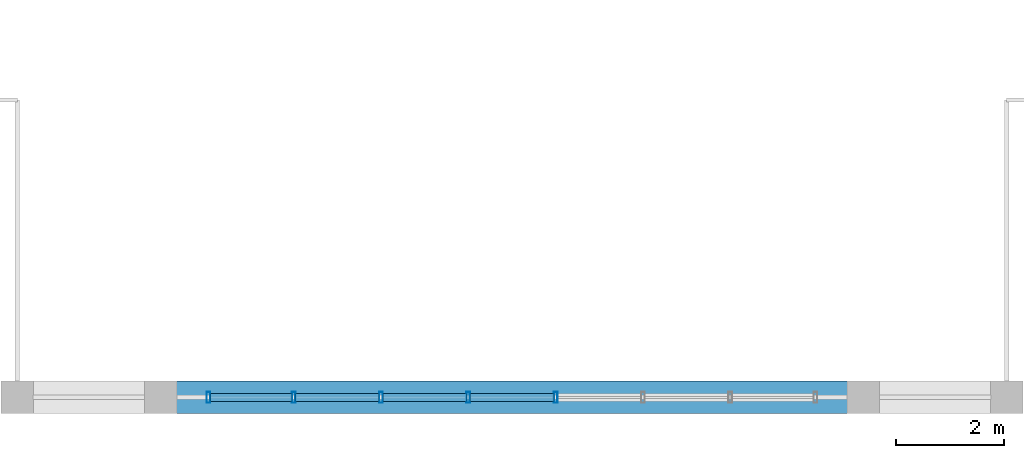
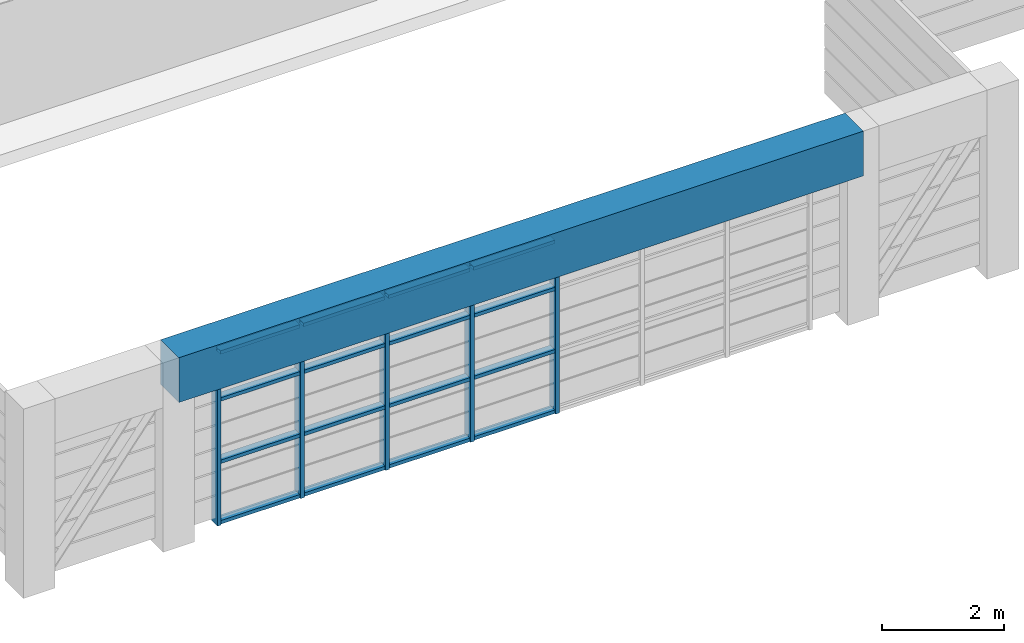
# One storey, part 2 of 21: 21 members, 1 beam, 1 element without a shape of its own.
"""IFC4 building model written with IfcOpenShell, lengths in metres."""

from ifc_helpers import new_model, si_unit, direction, frame, origin, origin_2d, place, context, subcontext, project, spatial, rectangle, hollow_rectangle, extrude, source, transform, mapped, material, layer, layer_set, material_profile, profile_set, type_object, element, aggregate, save


model = new_model("IFC4")

# Units and contexts
model_context = context("Model", 3, precision=1e-05, world=origin(), true_north=direction((0.0, 1.0)))
body_context = subcontext(model_context, "Body", "Model", "MODEL_VIEW")
ifc_project = project(units=[si_unit("LENGTHUNIT", "METRE"), si_unit("AREAUNIT", "SQUARE_METRE"), si_unit("VOLUMEUNIT", "CUBIC_METRE"), si_unit("PLANEANGLEUNIT", "RADIAN"), si_unit("MASSUNIT", "GRAM", prefix="KILO")], contexts=[model_context])

# Site, building, storey
site_placement = place(None, origin())
site = spatial("IfcSite", under=ifc_project, at=site_placement, CompositionType="ELEMENT")
building_placement = place(site_placement, origin())
building = spatial("IfcBuilding", under=site, at=building_placement, Name="Saelheon Loggia Tower", CompositionType="ELEMENT")
storey_placement = place(building_placement, frame((0.0, 0.0, 259.800048828125)))
storey = spatial("IfcBuildingStorey", under=building, at=storey_placement, Name="CR3", CompositionType="ELEMENT", Elevation=259.800048828125)

# Beam
ifc_material_1 = material(Name="Precast Concrete C45/55", Category="concrete")
ifc_material_profile_1 = material_profile(ifc_material_1, rectangle(XDim=0.60009765625, YDim=0.89990234375, at=origin_2d()), Name="RC-600x900")
ifc_profile_set_1 = profile_set([ifc_material_profile_1], Name="Precast Concrete C45/55")
beam_type = type_object("IfcBeamType", Name="CrownFrame_Ring_RC600x900", PredefinedType="BEAM", material=ifc_profile_set_1)
shared_shape_1 = source(origin(), body_context, "Body", "SweptSolid", [
    extrude(rectangle(XDim=0.60009765625, YDim=0.89990234375, at=origin_2d()), origin(), (0.0, 0.0, 1.0), 13.0),
])
beam_placement = place(storey_placement, frame((31.5, 6.35009765625, 3.349853515625), z_axis=(1.0, 0.0, 0.0), x_axis=(0.0, 1.0, 0.0)))
element("IfcBeam", 1, at=beam_placement, inside=storey, type_object=beam_type, Name="CR3 CROWN FRAME Sill Beam 02", PredefinedType="BEAM", context=body_context, shape_type="MappedRepresentation", body=[
    mapped(shared_shape_1, transform((0.0, 0.0, 0.0), scale=1.0)),
])

# Curtain wall, members
ifc_material_2 = material(Name="Bronze-Anodised Aluminium and Fritted Ceramic Screen", Category="aluminium")
ifc_layer = layer(ifc_material_2, 0.219970703125)
ifc_layer_set = layer_set([ifc_layer], Name="Bronze-Anodised Aluminium and Fritted Ceramic Screen")
curtain_wall_type = type_object("IfcCurtainWallType", Name="CW_CrownScreen", PredefinedType="NOTDEFINED", material=ifc_layer_set)
curtain_wall_placement = place(storey_placement, origin())
curtain_wall = element("IfcCurtainWall", 2, at=curtain_wall_placement, inside=storey, type_object=curtain_wall_type, Name="CR3 Crown Central Screen Curtain Wall 0", PredefinedType="NOTDEFINED")
ifc_material_3 = material(Name="Bronze-Anodised Aluminium 6063-T6", Category="aluminium")
ifc_material_profile_2 = material_profile(ifc_material_3, hollow_rectangle(XDim=0.070068359375, YDim=0.199951171875, WallThickness=0.0048828125, at=origin_2d()), Name="RHS-200x70x5")
ifc_profile_set_2 = profile_set([ifc_material_profile_2], Name="Bronze-Anodised Aluminium 6063-T6")
member_type_1 = type_object("IfcMemberType", Name="CW_CrownScreen_Mullion", PredefinedType="MULLION", material=ifc_profile_set_2)
shared_shape_2 = source(origin(), body_context, "Body", "SweptSolid", [
    extrude(hollow_rectangle(XDim=0.070068359375, YDim=0.199951171875, WallThickness=0.0048828125, at=origin_2d()), origin(), (0.0, 0.0, 1.0), 3.47998046875),
])
member_1_placement = place(storey_placement, frame((32.385009765625, 6.35009765625, 0.0), z_axis=(0.0, 0.0, 1.0), x_axis=(1.0, 0.0, 0.0)))
member_1 = element("IfcMember", 3, at=member_1_placement, type_object=member_type_1, Name="CW6 mullion 1", PredefinedType="MULLION", context=body_context, shape_type="MappedRepresentation", body=[
    mapped(shared_shape_2, transform((0.0, 0.0, 0.0), scale=1.0)),
])
member_2_placement = place(storey_placement, frame((33.96435546875, 6.35009765625, 0.0), z_axis=(0.0, 0.0, 1.0), x_axis=(1.0, 0.0, 0.0)))
member_2 = element("IfcMember", 4, at=member_2_placement, type_object=member_type_1, Name="CW6 mullion 2", PredefinedType="MULLION", context=body_context, shape_type="MappedRepresentation", body=[
    mapped(shared_shape_2, transform((0.0, 0.0, 0.0), scale=1.0)),
])
member_3_placement = place(storey_placement, frame((35.57861328125, 6.35009765625, 0.0), z_axis=(0.0, 0.0, 1.0), x_axis=(1.0, 0.0, 0.0)))
member_3 = element("IfcMember", 5, at=member_3_placement, type_object=member_type_1, Name="CW6 mullion 3", PredefinedType="MULLION", context=body_context, shape_type="MappedRepresentation", body=[
    mapped(shared_shape_2, transform((0.0, 0.0, 0.0), scale=1.0)),
])
member_4_placement = place(storey_placement, frame((37.19287109375, 6.35009765625, 0.0), z_axis=(0.0, 0.0, 1.0), x_axis=(1.0, 0.0, 0.0)))
member_4 = element("IfcMember", 6, at=member_4_placement, type_object=member_type_1, Name="CW6 mullion 4", PredefinedType="MULLION", context=body_context, shape_type="MappedRepresentation", body=[
    mapped(shared_shape_2, transform((0.0, 0.0, 0.0), scale=1.0)),
])
member_5_placement = place(storey_placement, frame((38.80712890625, 6.35009765625, 0.0), z_axis=(0.0, 0.0, 1.0), x_axis=(1.0, 0.0, 0.0)))
member_5 = element("IfcMember", 7, at=member_5_placement, type_object=member_type_1, Name="CW6 mullion 5", PredefinedType="MULLION", context=body_context, shape_type="MappedRepresentation", body=[
    mapped(shared_shape_2, transform((0.0, 0.0, 0.0), scale=1.0)),
])
ifc_material_profile_3 = material_profile(ifc_material_3, hollow_rectangle(XDim=0.070068359375, YDim=0.14990234375, WallThickness=0.0048828125, at=origin_2d()), Name="RHS-150x70x5")
ifc_profile_set_3 = profile_set([ifc_material_profile_3], Name="Bronze-Anodised Aluminium 6063-T6")
member_type_2 = type_object("IfcMemberType", Name="CW_CrownScreen_Transom", PredefinedType="USERDEFINED", material=ifc_profile_set_3)
shared_shape_3 = source(origin(), body_context, "Body", "SweptSolid", [
    extrude(hollow_rectangle(XDim=0.070068359375, YDim=0.14990234375, WallThickness=0.0048828125, at=origin_2d()), origin(), (0.0, 0.0, 1.0), 1.50927734375),
])
member_6_placement = place(storey_placement, frame((32.419921875, 6.35009765625, 0.034912109375), z_axis=(1.0, 0.0, 0.0), x_axis=(0.0, 0.0, 1.0)))
member_6 = element("IfcMember", 8, at=member_6_placement, type_object=member_type_2, Name="CW6 transom 1.1", ObjectType="TRANSOM", PredefinedType="USERDEFINED", context=body_context, shape_type="MappedRepresentation", body=[
    mapped(shared_shape_3, transform((0.0, 0.0, 0.0), scale=1.0)),
])
member_7_placement = place(storey_placement, frame((32.419921875, 6.35009765625, 1.25), z_axis=(1.0, 0.0, 0.0), x_axis=(0.0, 0.0, 1.0)))
member_7 = element("IfcMember", 9, at=member_7_placement, type_object=member_type_2, Name="CW6 transom 1.2", ObjectType="TRANSOM", PredefinedType="USERDEFINED", context=body_context, shape_type="MappedRepresentation", body=[
    mapped(shared_shape_3, transform((0.0, 0.0, 0.0), scale=1.0)),
])
member_8_placement = place(storey_placement, frame((32.419921875, 6.35009765625, 2.5), z_axis=(1.0, 0.0, 0.0), x_axis=(0.0, 0.0, 1.0)))
member_8 = element("IfcMember", 10, at=member_8_placement, type_object=member_type_2, Name="CW6 transom 1.3", ObjectType="TRANSOM", PredefinedType="USERDEFINED", context=body_context, shape_type="MappedRepresentation", body=[
    mapped(shared_shape_3, transform((0.0, 0.0, 0.0), scale=1.0)),
])
member_9_placement = place(storey_placement, frame((32.419921875, 6.35009765625, 3.445068359375), z_axis=(1.0, 0.0, 0.0), x_axis=(0.0, 0.0, 1.0)))
member_9 = element("IfcMember", 11, at=member_9_placement, type_object=member_type_2, Name="CW6 transom 1.4", ObjectType="TRANSOM", PredefinedType="USERDEFINED", context=body_context, shape_type="MappedRepresentation", body=[
    mapped(shared_shape_3, transform((0.0, 0.0, 0.0), scale=1.0)),
])
shared_shape_4 = source(origin(), body_context, "Body", "SweptSolid", [
    extrude(hollow_rectangle(XDim=0.070068359375, YDim=0.14990234375, WallThickness=0.0048828125, at=origin_2d()), origin(), (0.0, 0.0, 1.0), 1.544189453125),
])
member_10_placement = place(storey_placement, frame((33.999267578125, 6.35009765625, 0.034912109375), z_axis=(1.0, 0.0, 0.0), x_axis=(0.0, 0.0, 1.0)))
member_10 = element("IfcMember", 12, at=member_10_placement, type_object=member_type_2, Name="CW6 transom 2.1", ObjectType="TRANSOM", PredefinedType="USERDEFINED", context=body_context, shape_type="MappedRepresentation", body=[
    mapped(shared_shape_4, transform((0.0, 0.0, 0.0), scale=1.0)),
])
member_11_placement = place(storey_placement, frame((33.999267578125, 6.35009765625, 1.25), z_axis=(1.0, 0.0, 0.0), x_axis=(0.0, 0.0, 1.0)))
member_11 = element("IfcMember", 13, at=member_11_placement, type_object=member_type_2, Name="CW6 transom 2.2", ObjectType="TRANSOM", PredefinedType="USERDEFINED", context=body_context, shape_type="MappedRepresentation", body=[
    mapped(shared_shape_4, transform((0.0, 0.0, 0.0), scale=1.0)),
])
member_12_placement = place(storey_placement, frame((33.999267578125, 6.35009765625, 2.5), z_axis=(1.0, 0.0, 0.0), x_axis=(0.0, 0.0, 1.0)))
member_12 = element("IfcMember", 14, at=member_12_placement, type_object=member_type_2, Name="CW6 transom 2.3", ObjectType="TRANSOM", PredefinedType="USERDEFINED", context=body_context, shape_type="MappedRepresentation", body=[
    mapped(shared_shape_4, transform((0.0, 0.0, 0.0), scale=1.0)),
])
member_13_placement = place(storey_placement, frame((33.999267578125, 6.35009765625, 3.445068359375), z_axis=(1.0, 0.0, 0.0), x_axis=(0.0, 0.0, 1.0)))
member_13 = element("IfcMember", 15, at=member_13_placement, type_object=member_type_2, Name="CW6 transom 2.4", ObjectType="TRANSOM", PredefinedType="USERDEFINED", context=body_context, shape_type="MappedRepresentation", body=[
    mapped(shared_shape_4, transform((0.0, 0.0, 0.0), scale=1.0)),
])
shared_shape_5 = source(origin(), body_context, "Body", "SweptSolid", [
    extrude(hollow_rectangle(XDim=0.070068359375, YDim=0.14990234375, WallThickness=0.0048828125, at=origin_2d()), origin(), (0.0, 0.0, 1.0), 1.54443359375),
])
member_14_placement = place(storey_placement, frame((35.613525390625, 6.35009765625, 0.034912109375), z_axis=(1.0, 0.0, 0.0), x_axis=(0.0, 0.0, 1.0)))
member_14 = element("IfcMember", 16, at=member_14_placement, type_object=member_type_2, Name="CW6 transom 3.1", ObjectType="TRANSOM", PredefinedType="USERDEFINED", context=body_context, shape_type="MappedRepresentation", body=[
    mapped(shared_shape_5, transform((0.0, 0.0, 0.0), scale=1.0)),
])
member_15_placement = place(storey_placement, frame((35.613525390625, 6.35009765625, 1.25), z_axis=(1.0, 0.0, 0.0), x_axis=(0.0, 0.0, 1.0)))
member_15 = element("IfcMember", 17, at=member_15_placement, type_object=member_type_2, Name="CW6 transom 3.2", ObjectType="TRANSOM", PredefinedType="USERDEFINED", context=body_context, shape_type="MappedRepresentation", body=[
    mapped(shared_shape_5, transform((0.0, 0.0, 0.0), scale=1.0)),
])
member_16_placement = place(storey_placement, frame((35.613525390625, 6.35009765625, 2.5), z_axis=(1.0, 0.0, 0.0), x_axis=(0.0, 0.0, 1.0)))
member_16 = element("IfcMember", 18, at=member_16_placement, type_object=member_type_2, Name="CW6 transom 3.3", ObjectType="TRANSOM", PredefinedType="USERDEFINED", context=body_context, shape_type="MappedRepresentation", body=[
    mapped(shared_shape_5, transform((0.0, 0.0, 0.0), scale=1.0)),
])
member_17_placement = place(storey_placement, frame((35.613525390625, 6.35009765625, 3.445068359375), z_axis=(1.0, 0.0, 0.0), x_axis=(0.0, 0.0, 1.0)))
member_17 = element("IfcMember", 19, at=member_17_placement, type_object=member_type_2, Name="CW6 transom 3.4", ObjectType="TRANSOM", PredefinedType="USERDEFINED", context=body_context, shape_type="MappedRepresentation", body=[
    mapped(shared_shape_5, transform((0.0, 0.0, 0.0), scale=1.0)),
])
member_18_placement = place(storey_placement, frame((37.227783203125, 6.35009765625, 0.034912109375), z_axis=(1.0, 0.0, 0.0), x_axis=(0.0, 0.0, 1.0)))
member_18 = element("IfcMember", 20, at=member_18_placement, type_object=member_type_2, Name="CW6 transom 4.1", ObjectType="TRANSOM", PredefinedType="USERDEFINED", context=body_context, shape_type="MappedRepresentation", body=[
    mapped(shared_shape_5, transform((0.0, 0.0, 0.0), scale=1.0)),
])
member_19_placement = place(storey_placement, frame((37.227783203125, 6.35009765625, 1.25), z_axis=(1.0, 0.0, 0.0), x_axis=(0.0, 0.0, 1.0)))
member_19 = element("IfcMember", 21, at=member_19_placement, type_object=member_type_2, Name="CW6 transom 4.2", ObjectType="TRANSOM", PredefinedType="USERDEFINED", context=body_context, shape_type="MappedRepresentation", body=[
    mapped(shared_shape_5, transform((0.0, 0.0, 0.0), scale=1.0)),
])
member_20_placement = place(storey_placement, frame((37.227783203125, 6.35009765625, 2.5), z_axis=(1.0, 0.0, 0.0), x_axis=(0.0, 0.0, 1.0)))
member_20 = element("IfcMember", 22, at=member_20_placement, type_object=member_type_2, Name="CW6 transom 4.3", ObjectType="TRANSOM", PredefinedType="USERDEFINED", context=body_context, shape_type="MappedRepresentation", body=[
    mapped(shared_shape_5, transform((0.0, 0.0, 0.0), scale=1.0)),
])
member_21_placement = place(storey_placement, frame((37.227783203125, 6.35009765625, 3.445068359375), z_axis=(1.0, 0.0, 0.0), x_axis=(0.0, 0.0, 1.0)))
member_21 = element("IfcMember", 23, at=member_21_placement, type_object=member_type_2, Name="CW6 transom 4.4", ObjectType="TRANSOM", PredefinedType="USERDEFINED", context=body_context, shape_type="MappedRepresentation", body=[
    mapped(shared_shape_5, transform((0.0, 0.0, 0.0), scale=1.0)),
])
aggregate(curtain_wall, [member_1, member_2, member_3, member_4, member_5, member_6, member_7, member_8, member_9, member_10, member_11, member_12, member_13, member_14, member_15, member_16, member_17, member_18, member_19, member_20, member_21])

save(model, "model.ifc")
